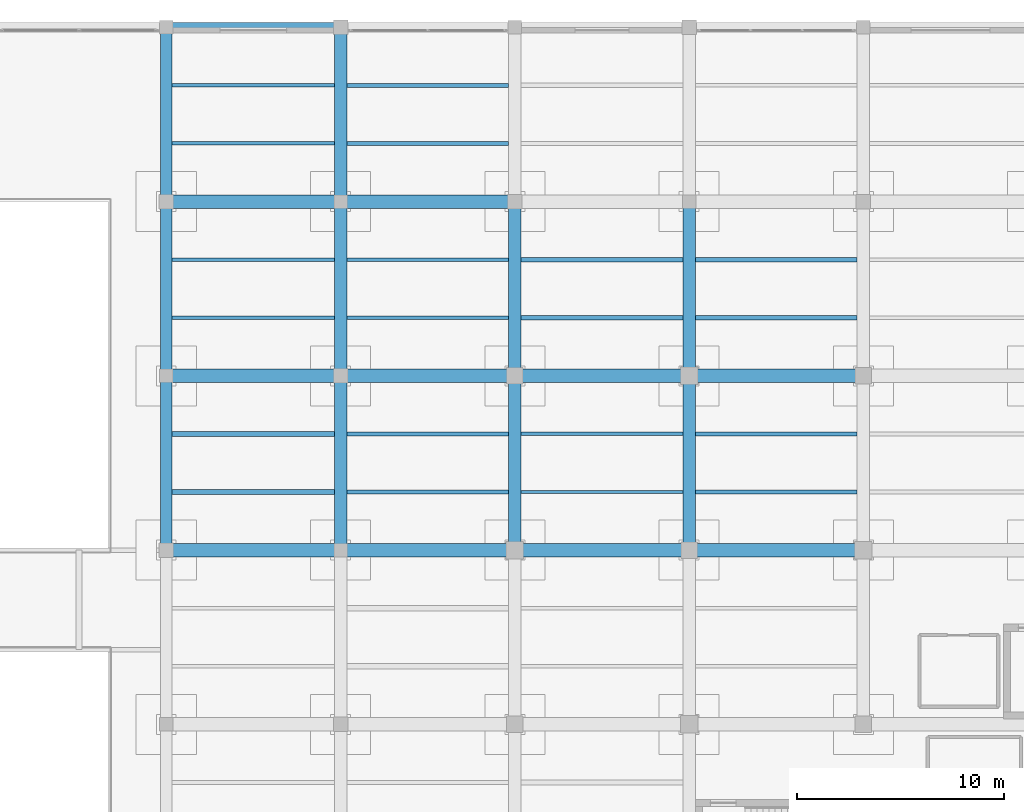
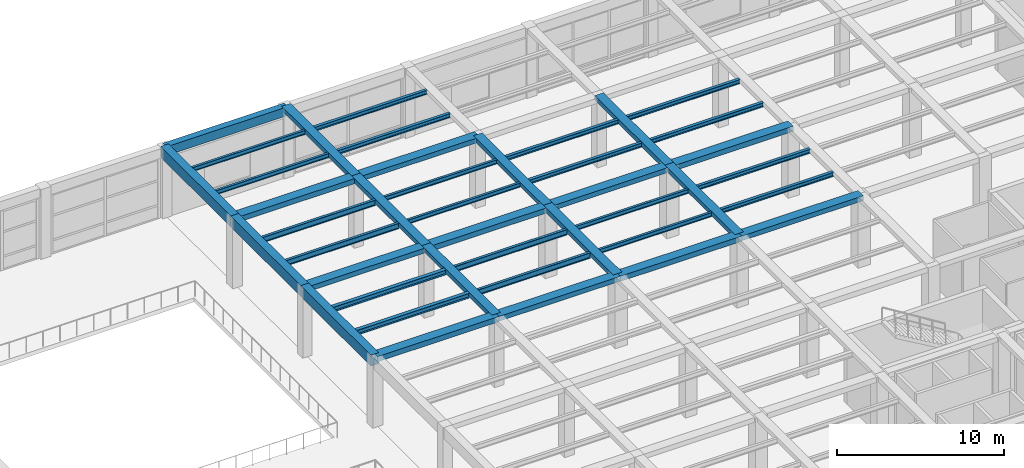
# One storey, part 47 of 95: 41 beams.
"""IFC4 building model written with IfcOpenShell, lengths in metres."""

import ifcopenshell
import ifcopenshell.guid

model = None  # the IFC model being written
_history = None  # IfcOwnerHistory: only IFC2X3 demands one
_inside = {}  # id of a spatial element -> (the spatial element, [elements in it])
_under = {}  # id of a project, library or spatial element -> (it, [spatial elements below it])
_declared = {}  # id of a project -> (the project, [libraries it declares])
_typed = {}  # id of a type object -> (the type object, [elements of that type])
_made_of = {}  # id of a material, layer set ... -> (it, [elements and type objects made of it])


def new_model(schema):
    """Start an empty IFC model of exactly this schema.

    Asked for "IFC4X3", IfcOpenShell would pick the latest addendum, in which some entities
    have other attributes; the version numbers below select the first issue.
    IFC2X3 requires an IfcOwnerHistory on every rooted entity: one is made here for all.
    """
    global model, _history
    if schema == "IFC4X3":
        model = ifcopenshell.file(schema_version=(4, 3, 0, 0))
    else:
        model = ifcopenshell.file(schema=schema)
    _inside.clear()
    _under.clear()
    _declared.clear()
    _typed.clear()
    _made_of.clear()
    _history = None
    if model.schema == "IFC2X3":
        org = make("IfcOrganization", Name="unknown")
        user = make(
            "IfcPersonAndOrganization",
            ThePerson=make("IfcPerson", FamilyName="unknown"),
            TheOrganization=org,
        )
        app = make(
            "IfcApplication",
            ApplicationDeveloper=org,
            Version="unknown",
            ApplicationFullName="unknown",
            ApplicationIdentifier="unknown",
        )
        _history = make(
            "IfcOwnerHistory",
            OwningUser=user,
            OwningApplication=app,
            ChangeAction="ADDED",
            CreationDate=0,
        )
    return model


def make(cls, **values):
    """One entity of the class cls with the attributes given. An attribute that is None is left unset."""
    return model.create_entity(
        cls, **{name: value for name, value in values.items() if value is not None}
    )


def rooted(cls, **values):
    """An entity with a GlobalId (a new one), such as an element, a storey or a relation."""
    return make(cls, GlobalId=ifcopenshell.guid.new(), OwnerHistory=_history, **values)


def si_unit(unit_type, name, prefix=None):
    """IfcSIUnit, for example si_unit("LENGTHUNIT", "METRE", prefix="MILLI")."""
    return make("IfcSIUnit", UnitType=unit_type, Prefix=prefix, Name=name)


def assignment(units):
    """IfcUnitAssignment: the units of a project."""
    return None if units is None else make("IfcUnitAssignment", Units=units)


def point(xyz):
    """IfcCartesianPoint."""
    return None if xyz is None else make("IfcCartesianPoint", Coordinates=xyz)


def direction(xyz):
    """IfcDirection."""
    return None if xyz is None else make("IfcDirection", DirectionRatios=xyz)


def frame(location, z_axis=None, x_axis=None):
    """IfcAxis2Placement3D, a coordinate frame: its origin and axes. An axis left out is left unset."""
    return make(
        "IfcAxis2Placement3D",
        Location=point(location),
        Axis=direction(z_axis),
        RefDirection=direction(x_axis),
    )


def frame_2d(location, x_axis=None):
    """IfcAxis2Placement2D, a coordinate frame in the plane: its origin and x axis."""
    return make(
        "IfcAxis2Placement2D", Location=point(location), RefDirection=direction(x_axis)
    )


def origin():
    """The frame at (0, 0, 0) with its axes left unset."""
    return frame((0.0, 0.0, 0.0))


def origin_2d():
    """The frame at (0, 0) in the plane with its x axis left unset."""
    return frame_2d((0.0, 0.0))


def place(relative_to, where):
    """IfcLocalPlacement: puts the frame where relative to a parent placement (None: the world)."""
    return make(
        "IfcLocalPlacement", PlacementRelTo=relative_to, RelativePlacement=where
    )


def context(
    kind, dimensions, precision=None, world=None, true_north=None, identifier=None
):
    """IfcGeometricRepresentationContext, for example the 3D "Model" context."""
    return make(
        "IfcGeometricRepresentationContext",
        ContextIdentifier=identifier,
        ContextType=kind,
        CoordinateSpaceDimension=dimensions,
        Precision=precision,
        WorldCoordinateSystem=world,
        TrueNorth=true_north,
    )


def subcontext(parent, identifier, kind, view, scale=None):
    """IfcGeometricRepresentationSubContext, for example "Body" below "Model"."""
    return make(
        "IfcGeometricRepresentationSubContext",
        ContextIdentifier=identifier,
        ContextType=kind,
        ParentContext=parent,
        TargetScale=scale,
        TargetView=view,
    )


def project(units=None, contexts=None):
    """IfcProject with its units and contexts."""
    return rooted(
        "IfcProject",
        Name="project",
        RepresentationContexts=contexts,
        UnitsInContext=assignment(units),
    )


def spatial(cls, under=None, at=None, **own):
    """A site, building, storey or space (cls), placed at a placement, below another one or the project."""
    s = rooted(cls, ObjectPlacement=at, **own)
    if under is not None:
        _under.setdefault(under.id(), (under, []))[1].append(s)
    return s


def profile(cls, at=None, kind="AREA", **sizes):
    """A parametric profile (cls). Its sizes go by their IFC names, for example OverallWidth=200.0."""
    return make(cls, ProfileType=kind, Position=at, **sizes)


def rectangle(**sizes):
    """IfcRectangleProfileDef."""
    return profile("IfcRectangleProfileDef", **sizes)


def i_section(**sizes):
    """IfcIShapeProfileDef."""
    return profile("IfcIShapeProfileDef", **sizes)


def extrude(swept, where, along, depth):
    """IfcExtrudedAreaSolid: the profile swept, set in the frame where, extruded along a direction by depth."""
    return make(
        "IfcExtrudedAreaSolid",
        SweptArea=swept,
        Position=where,
        ExtrudedDirection=direction(along),
        Depth=depth,
    )


def shape(context_of_items, identifier, shape_type, items):
    """IfcShapeRepresentation: the items that make up one representation, for example the "Body"."""
    return make(
        "IfcShapeRepresentation",
        ContextOfItems=context_of_items,
        RepresentationIdentifier=identifier,
        RepresentationType=shape_type,
        Items=items,
    )


def material(Name=None, Category=None):
    """IfcMaterial."""
    return make("IfcMaterial", Name=Name, Category=Category)


def material_profile(
    of_material, cross_section, Name=None, Category=None, Priority=None
):
    """IfcMaterialProfile: a cross section and its material."""
    return make(
        "IfcMaterialProfile",
        Name=Name,
        Material=of_material,
        Profile=cross_section,
        Priority=Priority,
        Category=Category,
    )


def profile_set(profiles, Name=None, composite=None):
    """IfcMaterialProfileSet."""
    return make(
        "IfcMaterialProfileSet",
        Name=Name,
        MaterialProfiles=profiles,
        CompositeProfile=composite,
    )


def made_of(thing, what):
    """Note that an element or type object is made of a material, layer set ...; save() writes the relation."""
    if what is not None:
        _made_of.setdefault(what.id(), (what, []))[1].append(thing)
    return thing


def type_object(cls, material=None, **own):
    """A type object (cls), such as IfcWallType, which elements share."""
    return made_of(rooted(cls, **own), material)


def element(
    cls,
    number,
    at=None,
    inside=None,
    cuts=None,
    type_object=None,
    material=None,
    context=None,
    identifier="Body",
    shape_type=None,
    held_by="IfcProductDefinitionShape",
    body=None,
    shapes=None,
    **own,
):
    """One element of the class cls, such as IfcWall. Its Tag is "e" and its number.

    at: its placement. inside: the storey or other place that contains it. cuts: it is an
    opening in that element (IfcRelVoidsElement). A single representation is given by context,
    identifier, shape_type and body (its items); several are given by shapes. held_by: the class
    of the entity that holds the representations. save() writes the other relations.
    """
    e = rooted(cls, Tag="e%d" % number, ObjectPlacement=at, **own)
    if body is not None:
        shapes = [shape(context, identifier, shape_type, body)]
    if shapes is not None:
        e.Representation = make(held_by, Representations=shapes)
    if inside is not None:
        _inside.setdefault(inside.id(), (inside, []))[1].append(e)
    if cuts is not None:
        rooted(
            "IfcRelVoidsElement", RelatingBuildingElement=cuts, RelatedOpeningElement=e
        )
    if type_object is not None:
        _typed.setdefault(type_object.id(), (type_object, []))[1].append(e)
    return made_of(e, material)


def aggregate(whole, parts):
    """IfcRelAggregates: a whole, such as a stair, and the parts it consists of."""
    return rooted("IfcRelAggregates", RelatingObject=whole, RelatedObjects=parts)


def save(model, path):
    """Write the relations noted so far, then the file.

    IfcRelAggregates (storeys below a building ...), IfcRelContainedInSpatialStructure (elements
    in a storey), IfcRelDefinesByType, IfcRelAssociatesMaterial and IfcRelDeclares: one each for
    every whole, place, type object, material and project.
    """
    for whole, parts in _under.values():
        aggregate(whole, parts)
    for where, things in _inside.values():
        rooted(
            "IfcRelContainedInSpatialStructure",
            RelatedElements=things,
            RelatingStructure=where,
        )
    for kind, things in _typed.values():
        rooted("IfcRelDefinesByType", RelatedObjects=things, RelatingType=kind)
    for what, things in _made_of.values():
        rooted("IfcRelAssociatesMaterial", RelatedObjects=things, RelatingMaterial=what)
    for by, libraries in _declared.values():
        rooted("IfcRelDeclares", RelatingContext=by, RelatedDefinitions=libraries)
    model.write(path)


model = new_model("IFC4")

# Units and contexts
model_context = context("Model", 3, precision=1e-05, world=origin(), true_north=direction((0.0, 1.0)))
body_context = subcontext(model_context, "Body", "Model", "MODEL_VIEW")
ifc_project = project(units=[si_unit("LENGTHUNIT", "METRE"), si_unit("AREAUNIT", "SQUARE_METRE"), si_unit("VOLUMEUNIT", "CUBIC_METRE"), si_unit("PLANEANGLEUNIT", "RADIAN"), si_unit("MASSUNIT", "GRAM", prefix="KILO")], contexts=[model_context])

# Site, building, storey
site_placement = place(None, origin())
site = spatial("IfcSite", under=ifc_project, at=site_placement, CompositionType="ELEMENT")
building_placement = place(site_placement, origin())
building = spatial("IfcBuilding", under=site, at=building_placement, Name="Almacenes y Pasaje Nevantli", CompositionType="ELEMENT")
storey_placement = place(building_placement, frame((0.0, 0.0, 11.39990234375)))
storey = spatial("IfcBuildingStorey", under=building, at=storey_placement, Name="L03", CompositionType="ELEMENT", Elevation=11.39990234375)

# Beams
ifc_material_1 = material(Name="Concrete C35/45", Category="concrete")
ifc_material_profile_1 = material_profile(ifc_material_1, rectangle(XDim=0.449951171875, YDim=0.64990234375, at=origin_2d()), Name="RC-BM-450x650")
ifc_profile_set_1 = profile_set([ifc_material_profile_1], Name="Concrete C35/45")
beam_type_1 = type_object("IfcBeamType", Name="BM-RC-450x650", PredefinedType="SPANDREL", material=ifc_profile_set_1)
beam_1_placement = place(storey_placement, frame((92.39990234375, 117.60009765625, 4.775146484375), z_axis=(1.0, 0.0, 0.0), x_axis=(0.0, 1.0, 0.0)))
element("IfcBeam", 1, at=beam_1_placement, inside=storey, type_object=beam_type_1, Name="L03 East-West Reinforced Concrete Beam #2471", PredefinedType="SPANDREL", context=body_context, shape_type="SweptSolid", body=[
    extrude(rectangle(XDim=0.449951171875, YDim=0.64990234375, at=origin_2d()), origin(), (0.0, 0.0, 1.0), 8.400146484375),
])
ifc_material_2 = material(Name="Concrete C35/45", Category="concrete")
ifc_material_profile_2 = material_profile(ifc_material_2, rectangle(XDim=0.550048828125, YDim=0.800048828125, at=origin_2d()), Name="RC-BM-550x800")
ifc_profile_set_2 = profile_set([ifc_material_profile_2], Name="Concrete C35/45")
beam_type_2 = type_object("IfcBeamType", Name="BM-RC-550x800", PredefinedType="BEAM", material=ifc_profile_set_2)
beam_2_placement = place(storey_placement, frame((92.39990234375, 92.39990234375, 4.7001953125), z_axis=(0.0, 1.0, 0.0), x_axis=(-1.0, 0.0, 0.0)))
element("IfcBeam", 2, at=beam_2_placement, inside=storey, type_object=beam_type_2, Name="L03 North-South Reinforced Concrete Beam #2593", PredefinedType="BEAM", context=body_context, shape_type="SweptSolid", body=[
    extrude(rectangle(XDim=0.550048828125, YDim=0.800048828125, at=origin_2d()), origin(), (0.0, 0.0, 1.0), 8.400146484375),
])
beam_3_placement = place(storey_placement, frame((92.39990234375, 100.800048828125, 4.7001953125), z_axis=(0.0, 1.0, 0.0), x_axis=(-1.0, 0.0, 0.0)))
element("IfcBeam", 3, at=beam_3_placement, inside=storey, type_object=beam_type_2, Name="L03 North-South Reinforced Concrete Beam #2594", PredefinedType="BEAM", context=body_context, shape_type="SweptSolid", body=[
    extrude(rectangle(XDim=0.550048828125, YDim=0.800048828125, at=origin_2d()), origin(), (0.0, 0.0, 1.0), 8.39990234375),
])
beam_4_placement = place(storey_placement, frame((92.39990234375, 109.199951171875, 4.7001953125), z_axis=(0.0, 1.0, 0.0), x_axis=(-1.0, 0.0, 0.0)))
element("IfcBeam", 4, at=beam_4_placement, inside=storey, type_object=beam_type_2, Name="L03 North-South Reinforced Concrete Beam #2595", PredefinedType="BEAM", context=body_context, shape_type="SweptSolid", body=[
    extrude(rectangle(XDim=0.550048828125, YDim=0.800048828125, at=origin_2d()), origin(), (0.0, 0.0, 1.0), 8.400146484375),
])
ifc_material_3 = material(Name="Concrete C35/45", Category="concrete")
ifc_material_profile_3 = material_profile(ifc_material_3, rectangle(XDim=0.60009765625, YDim=0.320068359375, at=origin_2d()), Name="RC-BM-600x320")
ifc_profile_set_3 = profile_set([ifc_material_profile_3], Name="Concrete C35/45")
beam_type_3 = type_object("IfcBeamType", Name="BM-RC-600x320", PredefinedType="BEAM", material=ifc_profile_set_3)
for number, where, z_axis, x_axis, name in (
    (5, (100.800048828125, 92.39990234375, 4.940185546875), (0.0, 1.0, 0.0), (-1.0, 0.0, 0.0), "L03 North-South Reinforced Concrete Beam #2606"),
    (6, (100.800048828125, 109.199951171875, 4.940185546875), (0.0, 1.0, 0.0), (-1.0, 0.0, 0.0), "L03 North-South Reinforced Concrete Beam #2608"),
):
    element("IfcBeam", number, at=place(storey_placement, frame(where, z_axis=z_axis, x_axis=x_axis)), inside=storey, type_object=beam_type_3, Name=name, PredefinedType="BEAM", context=body_context, shape_type="SweptSolid", body=[
        extrude(rectangle(XDim=0.60009765625, YDim=0.320068359375, at=origin_2d()), origin(), (0.0, 0.0, 1.0), 8.400146484375),
    ])
beam_5_placement = place(storey_placement, frame((109.199951171875, 100.800048828125, 4.940185546875), z_axis=(0.0, 1.0, 0.0), x_axis=(-1.0, 0.0, 0.0)))
element("IfcBeam", 7, at=beam_5_placement, inside=storey, type_object=beam_type_3, Name="L03 North-South Reinforced Concrete Beam #2620", PredefinedType="BEAM", context=body_context, shape_type="SweptSolid", body=[
    extrude(rectangle(XDim=0.60009765625, YDim=0.320068359375, at=origin_2d()), origin(), (0.0, 0.0, 1.0), 8.39990234375),
])
beam_6_placement = place(storey_placement, frame((117.60009765625, 92.39990234375, 4.940185546875), z_axis=(0.0, 1.0, 0.0), x_axis=(-1.0, 0.0, 0.0)))
element("IfcBeam", 8, at=beam_6_placement, inside=storey, type_object=beam_type_3, Name="L03 North-South Reinforced Concrete Beam #2633", PredefinedType="BEAM", context=body_context, shape_type="SweptSolid", body=[
    extrude(rectangle(XDim=0.60009765625, YDim=0.320068359375, at=origin_2d()), origin(), (0.0, 0.0, 1.0), 8.400146484375),
])
ifc_material_4 = material(Name="Concrete C35/45", Category="concrete")
ifc_material_profile_4 = material_profile(ifc_material_4, rectangle(XDim=0.60009765625, YDim=0.340087890625, at=origin_2d()), Name="RC-BM-600x340")
ifc_profile_set_4 = profile_set([ifc_material_profile_4], Name="Concrete C35/45")
beam_type_4 = type_object("IfcBeamType", Name="BM-RC-600x340", PredefinedType="BEAM", material=ifc_profile_set_4)
beam_7_placement = place(storey_placement, frame((100.800048828125, 100.800048828125, 4.93017578125), z_axis=(0.0, 1.0, 0.0), x_axis=(-1.0, 0.0, 0.0)))
element("IfcBeam", 9, at=beam_7_placement, inside=storey, type_object=beam_type_4, Name="L03 North-South Reinforced Concrete Beam #2607", PredefinedType="BEAM", context=body_context, shape_type="SweptSolid", body=[
    extrude(rectangle(XDim=0.60009765625, YDim=0.340087890625, at=origin_2d()), origin(), (0.0, 0.0, 1.0), 8.39990234375),
])
beam_8_placement = place(storey_placement, frame((109.199951171875, 92.39990234375, 4.93017578125), z_axis=(0.0, 1.0, 0.0), x_axis=(-1.0, 0.0, 0.0)))
element("IfcBeam", 10, at=beam_8_placement, inside=storey, type_object=beam_type_4, Name="L03 North-South Reinforced Concrete Beam #2619", PredefinedType="BEAM", context=body_context, shape_type="SweptSolid", body=[
    extrude(rectangle(XDim=0.60009765625, YDim=0.340087890625, at=origin_2d()), origin(), (0.0, 0.0, 1.0), 8.400146484375),
])
beam_9_placement = place(storey_placement, frame((117.60009765625, 100.800048828125, 4.93017578125), z_axis=(0.0, 1.0, 0.0), x_axis=(-1.0, 0.0, 0.0)))
element("IfcBeam", 11, at=beam_9_placement, inside=storey, type_object=beam_type_4, Name="L03 North-South Reinforced Concrete Beam #2634", PredefinedType="BEAM", context=body_context, shape_type="SweptSolid", body=[
    extrude(rectangle(XDim=0.60009765625, YDim=0.340087890625, at=origin_2d()), origin(), (0.0, 0.0, 1.0), 8.39990234375),
])
ifc_material_5 = material(Name="Concrete C35/45", Category="concrete")
ifc_material_profile_5 = material_profile(ifc_material_5, rectangle(XDim=0.64990234375, YDim=0.35009765625, at=origin_2d()), Name="RC-BM-650x350")
ifc_profile_set_5 = profile_set([ifc_material_profile_5], Name="Concrete C35/45")
beam_type_5 = type_object("IfcBeamType", Name="BM-RC-650x350", PredefinedType="BEAM", material=ifc_profile_set_5)
for number, where, z_axis, x_axis, name in (
    (12, (100.800048828125, 92.39990234375, 4.925048828125), (1.0, 0.0, 0.0), (0.0, 1.0, 0.0), "L03 East-West Reinforced Concrete Beam #2418"),
    (13, (117.60009765625, 92.39990234375, 4.925048828125), (1.0, 0.0, 0.0), (0.0, 1.0, 0.0), "L03 East-West Reinforced Concrete Beam #2420"),
):
    element("IfcBeam", number, at=place(storey_placement, frame(where, z_axis=z_axis, x_axis=x_axis)), inside=storey, type_object=beam_type_5, Name=name, PredefinedType="BEAM", context=body_context, shape_type="SweptSolid", body=[
        extrude(rectangle(XDim=0.64990234375, YDim=0.35009765625, at=origin_2d()), origin(), (0.0, 0.0, 1.0), 8.39990234375),
    ])
for number, where, z_axis, x_axis, name in (
    (14, (92.39990234375, 100.800048828125, 4.925048828125), (1.0, 0.0, 0.0), (0.0, 1.0, 0.0), "L03 East-West Reinforced Concrete Beam #2434"),
    (15, (109.199951171875, 100.800048828125, 4.925048828125), (1.0, 0.0, 0.0), (0.0, 1.0, 0.0), "L03 East-West Reinforced Concrete Beam #2436"),
):
    element("IfcBeam", number, at=place(storey_placement, frame(where, z_axis=z_axis, x_axis=x_axis)), inside=storey, type_object=beam_type_5, Name=name, PredefinedType="BEAM", context=body_context, shape_type="SweptSolid", body=[
        extrude(rectangle(XDim=0.64990234375, YDim=0.35009765625, at=origin_2d()), origin(), (0.0, 0.0, 1.0), 8.400146484375),
    ])
beam_10_placement = place(storey_placement, frame((100.800048828125, 109.199951171875, 4.925048828125), z_axis=(1.0, 0.0, 0.0), x_axis=(0.0, 1.0, 0.0)))
element("IfcBeam", 16, at=beam_10_placement, inside=storey, type_object=beam_type_5, Name="L03 East-West Reinforced Concrete Beam #2452", PredefinedType="BEAM", context=body_context, shape_type="SweptSolid", body=[
    extrude(rectangle(XDim=0.64990234375, YDim=0.35009765625, at=origin_2d()), origin(), (0.0, 0.0, 1.0), 8.39990234375),
])
ifc_material_6 = material(Name="Concrete C35/45", Category="concrete")
ifc_material_profile_6 = material_profile(ifc_material_6, rectangle(XDim=0.64990234375, YDim=0.3798828125, at=origin_2d()), Name="RC-BM-650x380")
ifc_profile_set_6 = profile_set([ifc_material_profile_6], Name="Concrete C35/45")
beam_type_6 = type_object("IfcBeamType", Name="BM-RC-650x380", PredefinedType="BEAM", material=ifc_profile_set_6)
for number, where, z_axis, x_axis, name in (
    (17, (92.39990234375, 92.39990234375, 4.91015625), (1.0, 0.0, 0.0), (0.0, 1.0, 0.0), "L03 East-West Reinforced Concrete Beam #2417"),
    (18, (109.199951171875, 92.39990234375, 4.91015625), (1.0, 0.0, 0.0), (0.0, 1.0, 0.0), "L03 East-West Reinforced Concrete Beam #2419"),
):
    element("IfcBeam", number, at=place(storey_placement, frame(where, z_axis=z_axis, x_axis=x_axis)), inside=storey, type_object=beam_type_6, Name=name, PredefinedType="BEAM", context=body_context, shape_type="SweptSolid", body=[
        extrude(rectangle(XDim=0.64990234375, YDim=0.3798828125, at=origin_2d()), origin(), (0.0, 0.0, 1.0), 8.400146484375),
    ])
for number, where, z_axis, x_axis, name in (
    (19, (100.800048828125, 100.800048828125, 4.91015625), (1.0, 0.0, 0.0), (0.0, 1.0, 0.0), "L03 East-West Reinforced Concrete Beam #2435"),
    (20, (117.60009765625, 100.800048828125, 4.91015625), (1.0, 0.0, 0.0), (0.0, 1.0, 0.0), "L03 East-West Reinforced Concrete Beam #2437"),
):
    element("IfcBeam", number, at=place(storey_placement, frame(where, z_axis=z_axis, x_axis=x_axis)), inside=storey, type_object=beam_type_6, Name=name, PredefinedType="BEAM", context=body_context, shape_type="SweptSolid", body=[
        extrude(rectangle(XDim=0.64990234375, YDim=0.3798828125, at=origin_2d()), origin(), (0.0, 0.0, 1.0), 8.39990234375),
    ])
beam_11_placement = place(storey_placement, frame((92.39990234375, 109.199951171875, 4.91015625), z_axis=(1.0, 0.0, 0.0), x_axis=(0.0, 1.0, 0.0)))
element("IfcBeam", 21, at=beam_11_placement, inside=storey, type_object=beam_type_6, Name="L03 East-West Reinforced Concrete Beam #2451", PredefinedType="BEAM", context=body_context, shape_type="SweptSolid", body=[
    extrude(rectangle(XDim=0.64990234375, YDim=0.3798828125, at=origin_2d()), origin(), (0.0, 0.0, 1.0), 8.400146484375),
])
ifc_material_7 = material(Name="Steel ASTM A992", Category="steel")
ifc_material_profile_7 = material_profile(ifc_material_7, i_section(OverallWidth=0.1650390625, OverallDepth=0.306884765625, WebThickness=0.006591796875, FlangeThickness=0.01025390625, at=origin_2d()), Name="IR 305x44.6")
ifc_profile_set_7 = profile_set([ifc_material_profile_7], Name="Steel ASTM A992")
beam_type_7 = type_object("IfcBeamType", Name="BM-STL-IR-305x44p6", PredefinedType="JOIST", material=ifc_profile_set_7)
for number, where, z_axis, x_axis, name in (
    (22, (92.675048828125, 112.0, 4.9384765625), (1.0, 0.0, 0.0), (0.0, 1.0, 0.0), "L03 Secondary Steel Floor Joist #819"),
    (23, (92.675048828125, 114.800048828125, 4.9384765625), (1.0, 0.0, 0.0), (0.0, 1.0, 0.0), "L03 Secondary Steel Floor Joist #820"),
):
    element("IfcBeam", number, at=place(storey_placement, frame(where, z_axis=z_axis, x_axis=x_axis)), inside=storey, type_object=beam_type_7, Name=name, PredefinedType="JOIST", context=body_context, shape_type="SweptSolid", body=[
        extrude(i_section(OverallWidth=0.1650390625, OverallDepth=0.306884765625, WebThickness=0.006591796875, FlangeThickness=0.01025390625, at=origin_2d()), origin(), (0.0, 0.0, 1.0), 7.824951171875),
    ])
for number, where, z_axis, x_axis, name in (
    (24, (101.10009765625, 103.60009765625, 4.9384765625), (1.0, 0.0, 0.0), (0.0, 1.0, 0.0), "L03 Secondary Steel Floor Joist #841"),
    (25, (101.10009765625, 106.39990234375, 4.9384765625), (1.0, 0.0, 0.0), (0.0, 1.0, 0.0), "L03 Secondary Steel Floor Joist #842"),
):
    element("IfcBeam", number, at=place(storey_placement, frame(where, z_axis=z_axis, x_axis=x_axis)), inside=storey, type_object=beam_type_7, Name=name, PredefinedType="JOIST", context=body_context, shape_type="SweptSolid", body=[
        extrude(i_section(OverallWidth=0.1650390625, OverallDepth=0.306884765625, WebThickness=0.006591796875, FlangeThickness=0.01025390625, at=origin_2d()), origin(), (0.0, 0.0, 1.0), 7.7998046875),
    ])
for number, where, z_axis, x_axis, name in (
    (26, (109.5, 95.199951171875, 4.9384765625), (1.0, 0.0, 0.0), (0.0, 1.0, 0.0), "L03 Secondary Steel Floor Joist #865"),
    (27, (109.5, 98.0, 4.9384765625), (1.0, 0.0, 0.0), (0.0, 1.0, 0.0), "L03 Secondary Steel Floor Joist #866"),
):
    element("IfcBeam", number, at=place(storey_placement, frame(where, z_axis=z_axis, x_axis=x_axis)), inside=storey, type_object=beam_type_7, Name=name, PredefinedType="JOIST", context=body_context, shape_type="SweptSolid", body=[
        extrude(i_section(OverallWidth=0.1650390625, OverallDepth=0.306884765625, WebThickness=0.006591796875, FlangeThickness=0.01025390625, at=origin_2d()), origin(), (0.0, 0.0, 1.0), 7.800048828125),
    ])
ifc_material_8 = material(Name="Steel ASTM A992", Category="steel")
ifc_material_profile_8 = material_profile(ifc_material_8, i_section(OverallWidth=0.202880859375, OverallDepth=0.304931640625, WebThickness=0.007568359375, FlangeThickness=0.01318359375, at=origin_2d()), Name="IR 305x59.5")
ifc_profile_set_8 = profile_set([ifc_material_profile_8], Name="Steel ASTM A992")
beam_type_8 = type_object("IfcBeamType", Name="BM-STL-IR-305x59p5", PredefinedType="JOIST", material=ifc_profile_set_8)
for number, where, z_axis, x_axis, name in (
    (28, (101.10009765625, 112.0, 4.939697265625), (1.0, 0.0, 0.0), (0.0, 1.0, 0.0), "L03 Secondary Steel Floor Joist #843"),
    (29, (101.10009765625, 114.800048828125, 4.939697265625), (1.0, 0.0, 0.0), (0.0, 1.0, 0.0), "L03 Secondary Steel Floor Joist #844"),
):
    element("IfcBeam", number, at=place(storey_placement, frame(where, z_axis=z_axis, x_axis=x_axis)), inside=storey, type_object=beam_type_8, Name=name, PredefinedType="JOIST", context=body_context, shape_type="SweptSolid", body=[
        extrude(i_section(OverallWidth=0.202880859375, OverallDepth=0.304931640625, WebThickness=0.007568359375, FlangeThickness=0.01318359375, at=origin_2d()), origin(), (0.0, 0.0, 1.0), 7.7998046875),
    ])
for number, where, z_axis, x_axis, name in (
    (30, (109.5, 103.60009765625, 4.939697265625), (1.0, 0.0, 0.0), (0.0, 1.0, 0.0), "L03 Secondary Steel Floor Joist #867"),
    (31, (109.5, 106.39990234375, 4.939697265625), (1.0, 0.0, 0.0), (0.0, 1.0, 0.0), "L03 Secondary Steel Floor Joist #868"),
    (32, (117.89990234375, 95.199951171875, 4.939697265625), (1.0, 0.0, 0.0), (0.0, 1.0, 0.0), "L03 Secondary Steel Floor Joist #889"),
    (33, (117.89990234375, 98.0, 4.939697265625), (1.0, 0.0, 0.0), (0.0, 1.0, 0.0), "L03 Secondary Steel Floor Joist #890"),
):
    element("IfcBeam", number, at=place(storey_placement, frame(where, z_axis=z_axis, x_axis=x_axis)), inside=storey, type_object=beam_type_8, Name=name, PredefinedType="JOIST", context=body_context, shape_type="SweptSolid", body=[
        extrude(i_section(OverallWidth=0.202880859375, OverallDepth=0.304931640625, WebThickness=0.007568359375, FlangeThickness=0.01318359375, at=origin_2d()), origin(), (0.0, 0.0, 1.0), 7.800048828125),
    ])
ifc_material_9 = material(Name="Steel ASTM A992", Category="steel")
ifc_material_profile_9 = material_profile(ifc_material_9, i_section(OverallWidth=0.205078125, OverallDepth=0.31005859375, WebThickness=0.009521484375, FlangeThickness=0.016357421875, at=origin_2d()), Name="IR 305x74.4")
ifc_profile_set_9 = profile_set([ifc_material_profile_9], Name="Steel ASTM A992")
beam_type_9 = type_object("IfcBeamType", Name="BM-STL-IR-305x74p4", PredefinedType="JOIST", material=ifc_profile_set_9)
for number, where, z_axis, x_axis, name in (
    (34, (117.89990234375, 103.60009765625, 4.93701171875), (1.0, 0.0, 0.0), (0.0, 1.0, 0.0), "L03 Secondary Steel Floor Joist #891"),
    (35, (117.89990234375, 106.39990234375, 4.93701171875), (1.0, 0.0, 0.0), (0.0, 1.0, 0.0), "L03 Secondary Steel Floor Joist #892"),
):
    element("IfcBeam", number, at=place(storey_placement, frame(where, z_axis=z_axis, x_axis=x_axis)), inside=storey, type_object=beam_type_9, Name=name, PredefinedType="JOIST", context=body_context, shape_type="SweptSolid", body=[
        extrude(i_section(OverallWidth=0.205078125, OverallDepth=0.31005859375, WebThickness=0.009521484375, FlangeThickness=0.016357421875, at=origin_2d()), origin(), (0.0, 0.0, 1.0), 7.800048828125),
    ])
ifc_material_10 = material(Name="Steel ASTM A992", Category="steel")
ifc_material_profile_10 = material_profile(ifc_material_10, i_section(OverallWidth=0.25390625, OverallDepth=0.35595703125, WebThickness=0.009521484375, FlangeThickness=0.016357421875, at=origin_2d()), Name="IR 356x79.0")
ifc_profile_set_10 = profile_set([ifc_material_profile_10], Name="Steel ASTM A992")
beam_type_10 = type_object("IfcBeamType", Name="BM-STL-IR-356x79p0", PredefinedType="JOIST", material=ifc_profile_set_10)
for number, where, z_axis, x_axis, name in (
    (36, (92.675048828125, 95.199951171875, 4.9140625), (1.0, 0.0, 0.0), (0.0, 1.0, 0.0), "L03 Secondary Steel Floor Joist #815"),
    (37, (92.675048828125, 98.0, 4.9140625), (1.0, 0.0, 0.0), (0.0, 1.0, 0.0), "L03 Secondary Steel Floor Joist #816"),
):
    element("IfcBeam", number, at=place(storey_placement, frame(where, z_axis=z_axis, x_axis=x_axis)), inside=storey, type_object=beam_type_10, Name=name, PredefinedType="JOIST", context=body_context, shape_type="SweptSolid", body=[
        extrude(i_section(OverallWidth=0.25390625, OverallDepth=0.35595703125, WebThickness=0.009521484375, FlangeThickness=0.016357421875, at=origin_2d()), origin(), (0.0, 0.0, 1.0), 7.824951171875),
    ])
ifc_material_11 = material(Name="Steel ASTM A992", Category="steel")
ifc_material_profile_11 = material_profile(ifc_material_11, i_section(OverallWidth=0.178955078125, OverallDepth=0.406005859375, WebThickness=0.0087890625, FlangeThickness=0.014404296875, at=origin_2d()), Name="IR 406x67.0")
ifc_profile_set_11 = profile_set([ifc_material_profile_11], Name="Steel ASTM A992")
beam_type_11 = type_object("IfcBeamType", Name="BM-STL-IR-406x67p0", PredefinedType="JOIST", material=ifc_profile_set_11)
for number, where, z_axis, x_axis, name in (
    (38, (92.675048828125, 103.60009765625, 4.88916015625), (1.0, 0.0, 0.0), (0.0, 1.0, 0.0), "L03 Secondary Steel Floor Joist #817"),
    (39, (92.675048828125, 106.39990234375, 4.88916015625), (1.0, 0.0, 0.0), (0.0, 1.0, 0.0), "L03 Secondary Steel Floor Joist #818"),
):
    element("IfcBeam", number, at=place(storey_placement, frame(where, z_axis=z_axis, x_axis=x_axis)), inside=storey, type_object=beam_type_11, Name=name, PredefinedType="JOIST", context=body_context, shape_type="SweptSolid", body=[
        extrude(i_section(OverallWidth=0.178955078125, OverallDepth=0.406005859375, WebThickness=0.0087890625, FlangeThickness=0.014404296875, at=origin_2d()), origin(), (0.0, 0.0, 1.0), 7.824951171875),
    ])
for number, where, z_axis, x_axis, name in (
    (40, (101.10009765625, 95.199951171875, 4.88916015625), (1.0, 0.0, 0.0), (0.0, 1.0, 0.0), "L03 Secondary Steel Floor Joist #839"),
    (41, (101.10009765625, 98.0, 4.88916015625), (1.0, 0.0, 0.0), (0.0, 1.0, 0.0), "L03 Secondary Steel Floor Joist #840"),
):
    element("IfcBeam", number, at=place(storey_placement, frame(where, z_axis=z_axis, x_axis=x_axis)), inside=storey, type_object=beam_type_11, Name=name, PredefinedType="JOIST", context=body_context, shape_type="SweptSolid", body=[
        extrude(i_section(OverallWidth=0.178955078125, OverallDepth=0.406005859375, WebThickness=0.0087890625, FlangeThickness=0.014404296875, at=origin_2d()), origin(), (0.0, 0.0, 1.0), 7.7998046875),
    ])

save(model, "model.ifc")
